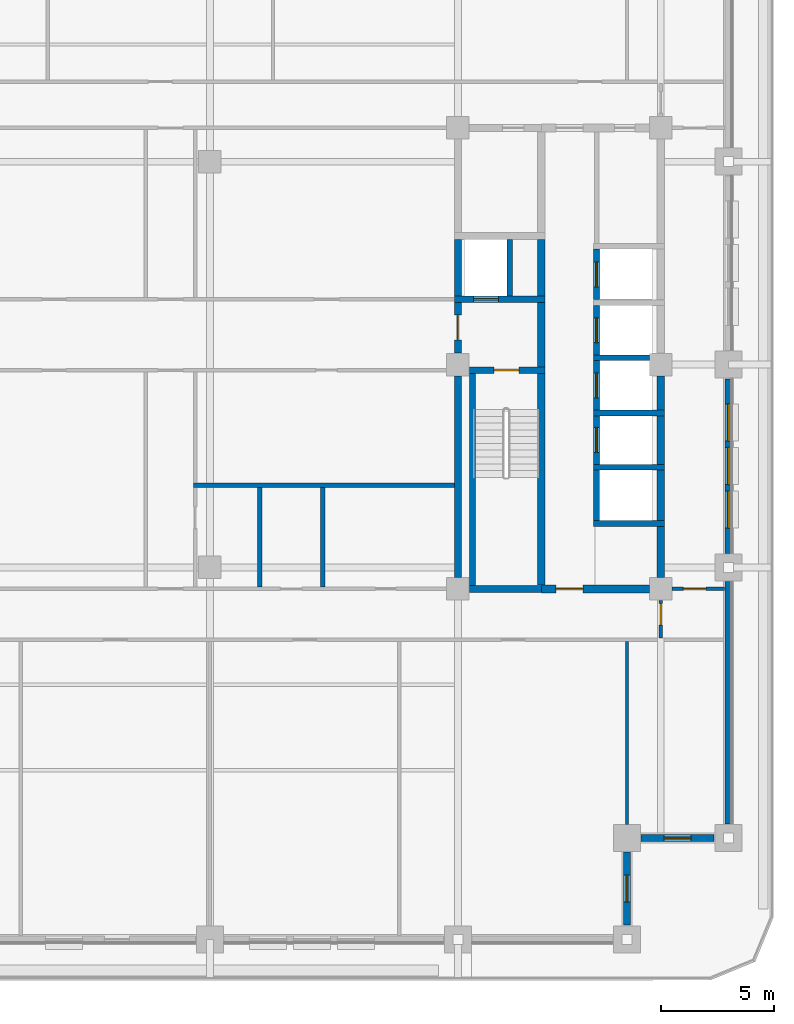
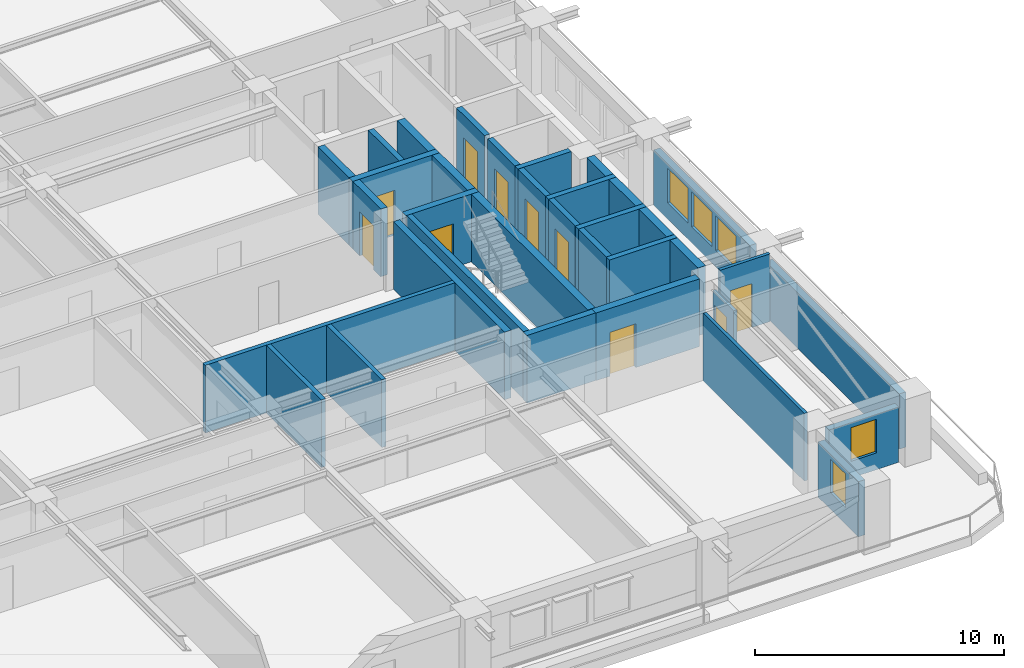
# One storey, part 4 of 14: 35 walls, 10 doors, 5 windows, 15 openings.
"""IFC4 building model written with IfcOpenShell, lengths in metres."""

from ifc_helpers import new_model, si_unit, direction, frame, frame_2d, origin, place, context, subcontext, project, spatial, rectangle, extrude, material, layer, layer_set, type_object, element, fill, save


model = new_model("IFC4")

# Units and contexts
model_context = context("Model", 3, precision=1e-05, world=origin(), true_north=direction((0.0, 1.0)))
body_context = subcontext(model_context, "Body", "Model", "MODEL_VIEW")
ifc_project = project(units=[si_unit("LENGTHUNIT", "METRE"), si_unit("AREAUNIT", "SQUARE_METRE"), si_unit("VOLUMEUNIT", "CUBIC_METRE"), si_unit("PLANEANGLEUNIT", "RADIAN"), si_unit("MASSUNIT", "GRAM", prefix="KILO")], contexts=[model_context])

# Site, building, storey
site_placement = place(None, origin())
site = spatial("IfcSite", under=ifc_project, at=site_placement, CompositionType="ELEMENT")
building_placement = place(site_placement, origin())
building = spatial("IfcBuilding", under=site, at=building_placement, Name="Zulmaris Gate Convention Tower", CompositionType="ELEMENT")
storey_placement = place(building_placement, frame((0.0, 0.0, 135.6298828125)))
storey = spatial("IfcBuildingStorey", under=building, at=storey_placement, Name="L34", CompositionType="ELEMENT", Elevation=135.6298828125)

# Walls
ifc_material_1 = material(Name="Concrete C50/60", Category="concrete")
ifc_layer_1 = layer(ifc_material_1, 0.25, Name="Concrete C50/60")
ifc_layer_set_1 = layer_set([ifc_layer_1], Name="Concrete C50/60")
wall_type_1 = type_object("IfcWallType", Name="CORE-250", PredefinedType="SOLIDWALL", material=ifc_layer_set_1)
for number, where, z_axis, x_axis, name in (
    (1, (17.02490234375, -7.050048828125, 0.0), (0.0, 0.0, 1.0), (1.0, 0.0, 0.0), "WL-L34-005"),
    (2, (17.02490234375, -4.550048828125, 0.0), (0.0, 0.0, 1.0), (1.0, 0.0, 0.0), "WL-L34-006"),
    (3, (17.02490234375, -2.14990234375, 0.0), (0.0, 0.0, 1.0), (1.0, 0.0, 0.0), "WL-L34-007"),
):
    element("IfcWall", number, at=place(storey_placement, frame(where, z_axis=z_axis, x_axis=x_axis)), inside=storey, type_object=wall_type_1, Name=name, PredefinedType="SOLIDWALL", context=body_context, shape_type="SweptSolid", body=[
        extrude(rectangle(XDim=3.150146484375, YDim=0.25, at=frame_2d((1.5751953125, 0.0))), origin(), (0.0, 0.0, 1.0), 3.320068359375),
    ])
wall_1_placement = place(storey_placement, frame((17.02490234375, 0.300048828125, 0.0), z_axis=(0.0, 0.0, 1.0), x_axis=(1.0, 0.0, 0.0)))
element("IfcWall", 4, at=wall_1_placement, inside=storey, type_object=wall_type_1, Name="WL-L34-010", PredefinedType="SOLIDWALL", context=body_context, shape_type="SweptSolid", body=[
    extrude(rectangle(XDim=2.47119140625, YDim=0.25, at=frame_2d((1.235595703125, 0.0))), origin(), (0.0, 0.0, 1.0), 3.320068359375),
])
wall_2_placement = place(storey_placement, frame((11.64990234375, -9.798095703125, 0.0), z_axis=(0.0, 0.0, 1.0), x_axis=(0.0, 1.0, 0.0)))
element("IfcWall", 5, at=wall_2_placement, inside=storey, type_object=wall_type_1, Name="WL-L34-050", PredefinedType="SOLIDWALL", context=body_context, shape_type="SweptSolid", body=[
    extrude(rectangle(XDim=9.39599609375, YDim=0.25, at=frame_2d((4.697998046875, 0.0))), origin(), (0.0, 0.0, 1.0), 3.320068359375),
])
wall_3_placement = place(storey_placement, frame((13.300048828125, 3.052001953125, 0.0), z_axis=(0.0, 0.0, 1.0), x_axis=(0.0, 1.0, 0.0)))
element("IfcWall", 6, at=wall_3_placement, inside=storey, type_object=wall_type_1, Name="WL-L34-051", PredefinedType="SOLIDWALL", context=body_context, shape_type="SweptSolid", body=[
    extrude(rectangle(XDim=2.49609375, YDim=0.25, at=frame_2d((1.248046875, 0.0))), origin(), (0.0, 0.0, 1.0), 3.320068359375),
])
wall_4_placement = place(storey_placement, frame((17.14990234375, -6.923095703125, 0.0), z_axis=(0.0, 0.0, 1.0), x_axis=(0.0, 1.0, 0.0)))
element("IfcWall", 7, at=wall_4_placement, inside=storey, type_object=wall_type_1, Name="WL-L34-056", PredefinedType="SOLIDWALL", context=body_context, shape_type="SweptSolid", body=[
    extrude(rectangle(XDim=2.24609375, YDim=0.25, at=frame_2d((1.123046875, 0.0))), origin(), (0.0, 0.0, 1.0), 3.320068359375),
])

# Wall, opening, door
wall_5_placement = place(storey_placement, frame((17.14990234375, -4.423095703125, 0.0), z_axis=(0.0, 0.0, 1.0), x_axis=(0.0, 1.0, 0.0)))
wall_5 = element("IfcWall", 8, at=wall_5_placement, inside=storey, type_object=wall_type_1, Name="WL-L34-057", PredefinedType="SOLIDWALL", context=body_context, shape_type="SweptSolid", body=[
    extrude(rectangle(XDim=2.14599609375, YDim=0.25, at=frame_2d((1.072998046875, 0.0))), origin(), (0.0, 0.0, 1.0), 3.320068359375),
])
opening_1_placement = place(wall_5_placement, frame((0.52294921875, 0.0, 0.0)))
opening_1 = element("IfcOpeningElement", 9, at=opening_1_placement, cuts=wall_5, Name="Opening D-06", PredefinedType="OPENING", context=body_context, shape_type="SweptSolid", body=[
    extrude(rectangle(XDim=1.10009765625, YDim=2.199951171875, at=frame_2d((0.550048828125, 1.10009765625))), frame((0.0, 0.135009765625, 0.0), z_axis=(0.0, -1.0, 0.0), x_axis=(1.0, 0.0, 0.0)), (0.0, 0.0, 1.0), 0.27001953125),
])
ifc_material_2 = material(Name="Brushed Stainless Steel", Category="steel")
door_type_1 = type_object("IfcDoorType", Name="LD-1100", OperationType="NOTDEFINED", PredefinedType="DOOR", material=ifc_material_2)
door_1_placement = place(opening_1_placement, origin())
door_1 = element("IfcDoor", 10, at=door_1_placement, inside=storey, type_object=door_type_1, Name="L34 Lift Landing Door MP-01 11", OperationType="SLIDING_TO_RIGHT", OverallHeight=2.199951171875, OverallWidth=1.10009765625, PredefinedType="DOOR", context=body_context, shape_type="SweptSolid", body=[
    extrude(rectangle(XDim=1.10009765625, YDim=2.199951171875, at=frame_2d((0.550048828125, 1.10009765625))), frame((0.0, 0.02490234375, 0.0), z_axis=(0.0, -1.0, 0.0), x_axis=(1.0, 0.0, 0.0)), (0.0, 0.0, 1.0), 0.050048828125),
])
fill(opening_1, door_1)

wall_6_placement = place(storey_placement, frame((17.14990234375, -2.02294921875, 0.0), z_axis=(0.0, 0.0, 1.0), x_axis=(0.0, 1.0, 0.0)))
wall_6 = element("IfcWall", 11, at=wall_6_placement, inside=storey, type_object=wall_type_1, Name="WL-L34-058", PredefinedType="SOLIDWALL", context=body_context, shape_type="SweptSolid", body=[
    extrude(rectangle(XDim=2.196044921875, YDim=0.25, at=frame_2d((1.09814453125, 0.0))), origin(), (0.0, 0.0, 1.0), 3.320068359375),
])
opening_2_placement = place(wall_6_placement, frame((0.548095703125, 0.0, 0.0)))
opening_2 = element("IfcOpeningElement", 12, at=opening_2_placement, cuts=wall_6, Name="Opening D-06", PredefinedType="OPENING", context=body_context, shape_type="SweptSolid", body=[
    extrude(rectangle(XDim=1.10009765625, YDim=2.199951171875, at=frame_2d((0.550048828125, 1.10009765625))), frame((0.0, 0.135009765625, 0.0), z_axis=(0.0, -1.0, 0.0), x_axis=(1.0, 0.0, 0.0)), (0.0, 0.0, 1.0), 0.27001953125),
])
door_2_placement = place(opening_2_placement, origin())
door_2 = element("IfcDoor", 13, at=door_2_placement, inside=storey, type_object=door_type_1, Name="L34 Lift Landing Door MP-02 12", OperationType="SLIDING_TO_RIGHT", OverallHeight=2.199951171875, OverallWidth=1.10009765625, PredefinedType="DOOR", context=body_context, shape_type="SweptSolid", body=[
    extrude(rectangle(XDim=1.10009765625, YDim=2.199951171875, at=frame_2d((0.550048828125, 1.10009765625))), frame((0.0, 0.02490234375, 0.0), z_axis=(0.0, -1.0, 0.0), x_axis=(1.0, 0.0, 0.0)), (0.0, 0.0, 1.0), 0.050048828125),
])
fill(opening_2, door_2)

wall_7_placement = place(storey_placement, frame((17.14990234375, 0.427001953125, 0.0), z_axis=(0.0, 0.0, 1.0), x_axis=(0.0, 1.0, 0.0)))
wall_7 = element("IfcWall", 14, at=wall_7_placement, inside=storey, type_object=wall_type_1, Name="WL-L34-059", PredefinedType="SOLIDWALL", context=body_context, shape_type="SweptSolid", body=[
    extrude(rectangle(XDim=2.196044921875, YDim=0.25, at=frame_2d((1.09814453125, 0.0))), origin(), (0.0, 0.0, 1.0), 3.320068359375),
])
opening_3_placement = place(wall_7_placement, frame((0.548095703125, 0.0, 0.0)))
opening_3 = element("IfcOpeningElement", 15, at=opening_3_placement, cuts=wall_7, Name="Opening D-06", PredefinedType="OPENING", context=body_context, shape_type="SweptSolid", body=[
    extrude(rectangle(XDim=1.10009765625, YDim=2.199951171875, at=frame_2d((0.550048828125, 1.10009765625))), frame((0.0, 0.135009765625, 0.0), z_axis=(0.0, -1.0, 0.0), x_axis=(1.0, 0.0, 0.0)), (0.0, 0.0, 1.0), 0.27001953125),
])
door_3_placement = place(opening_3_placement, origin())
door_3 = element("IfcDoor", 16, at=door_3_placement, inside=storey, type_object=door_type_1, Name="L34 Lift Landing Door MP-03 13", OperationType="SLIDING_TO_RIGHT", OverallHeight=2.199951171875, OverallWidth=1.10009765625, PredefinedType="DOOR", context=body_context, shape_type="SweptSolid", body=[
    extrude(rectangle(XDim=1.10009765625, YDim=2.199951171875, at=frame_2d((0.550048828125, 1.10009765625))), frame((0.0, 0.02490234375, 0.0), z_axis=(0.0, -1.0, 0.0), x_axis=(1.0, 0.0, 0.0)), (0.0, 0.0, 1.0), 0.050048828125),
])
fill(opening_3, door_3)

wall_8_placement = place(storey_placement, frame((17.14990234375, 2.876953125, 0.0), z_axis=(0.0, 0.0, 1.0), x_axis=(0.0, 1.0, 0.0)))
wall_8 = element("IfcWall", 17, at=wall_8_placement, inside=storey, type_object=wall_type_1, Name="WL-L34-060", PredefinedType="SOLIDWALL", context=body_context, shape_type="SweptSolid", body=[
    extrude(rectangle(XDim=2.24609375, YDim=0.25, at=frame_2d((1.123046875, 0.0))), origin(), (0.0, 0.0, 1.0), 3.320068359375),
])
opening_4_placement = place(wall_8_placement, frame((0.572998046875, 0.0, 0.0)))
opening_4 = element("IfcOpeningElement", 18, at=opening_4_placement, cuts=wall_8, Name="Opening D-06", PredefinedType="OPENING", context=body_context, shape_type="SweptSolid", body=[
    extrude(rectangle(XDim=1.10009765625, YDim=2.199951171875, at=frame_2d((0.550048828125, 1.10009765625))), frame((0.0, 0.135009765625, 0.0), z_axis=(0.0, -1.0, 0.0), x_axis=(1.0, 0.0, 0.0)), (0.0, 0.0, 1.0), 0.27001953125),
])
door_4_placement = place(opening_4_placement, origin())
door_4 = element("IfcDoor", 19, at=door_4_placement, inside=storey, type_object=door_type_1, Name="L34 Lift Landing Door MP-04 14", OperationType="SLIDING_TO_RIGHT", OverallHeight=2.199951171875, OverallWidth=1.10009765625, PredefinedType="DOOR", context=body_context, shape_type="SweptSolid", body=[
    extrude(rectangle(XDim=1.10009765625, YDim=2.199951171875, at=frame_2d((0.550048828125, 1.10009765625))), frame((0.0, 0.02490234375, 0.0), z_axis=(0.0, -1.0, 0.0), x_axis=(1.0, 0.0, 0.0)), (0.0, 0.0, 1.0), 0.050048828125),
])
fill(opening_4, door_4)

# Wall
ifc_layer_2 = layer(ifc_material_1, 0.300048828125, Name="Concrete C50/60")
ifc_layer_set_2 = layer_set([ifc_layer_2], Name="Concrete C50/60")
wall_type_2 = type_object("IfcWallType", Name="CORE-300", PredefinedType="SHEAR", material=ifc_layer_set_2)
wall_9_placement = place(storey_placement, frame((11.50390625, -9.949951171875, 0.0), z_axis=(0.0, 0.0, 1.0), x_axis=(1.0, 0.0, 0.0)))
element("IfcWall", 20, at=wall_9_placement, inside=storey, type_object=wall_type_2, Name="WL-L34-003", PredefinedType="SHEAR", context=body_context, shape_type="SweptSolid", body=[
    extrude(rectangle(XDim=3.196044921875, YDim=0.300048828125, at=frame_2d((1.59814453125, 0.0))), origin(), (0.0, 0.0, 1.0), 3.320068359375),
])

# Wall, opening, door
wall_10_placement = place(storey_placement, frame((11.50390625, -0.25, 0.0), z_axis=(0.0, 0.0, 1.0), x_axis=(1.0, 0.0, 0.0)))
wall_10 = element("IfcWall", 21, at=wall_10_placement, inside=storey, type_object=wall_type_2, Name="WL-L34-009", PredefinedType="SHEAR", context=body_context, shape_type="SweptSolid", body=[
    extrude(rectangle(XDim=3.37109375, YDim=0.300048828125, at=frame_2d((1.685546875, 0.0))), origin(), (0.0, 0.0, 1.0), 3.320068359375),
])
opening_5_placement = place(wall_10_placement, frame((1.095947265625, 0.0, 0.0)))
opening_5 = element("IfcOpeningElement", 22, at=opening_5_placement, cuts=wall_10, Name="Opening D-08", PredefinedType="OPENING", context=body_context, shape_type="SweptSolid", body=[
    extrude(rectangle(XDim=1.10009765625, YDim=2.14990234375, at=frame_2d((0.550048828125, 1.074951171875))), frame((0.0, 0.16015625, 0.0), z_axis=(0.0, -1.0, 0.0), x_axis=(1.0, 0.0, 0.0)), (0.0, 0.0, 1.0), 0.320068359375),
])
ifc_material_3 = material(Name="Fire-Rated Steel", Category="steel")
door_type_2 = type_object("IfcDoorType", Name="DR-1100-FD", OperationType="NOTDEFINED", PredefinedType="DOOR", material=ifc_material_3)
door_5_placement = place(opening_5_placement, origin())
door_5 = element("IfcDoor", 23, at=door_5_placement, inside=storey, type_object=door_type_2, Name="L34 Exit Stair ST-2 Door 04", OperationType="SINGLE_SWING_RIGHT", OverallHeight=2.14990234375, OverallWidth=1.10009765625, PredefinedType="DOOR", context=body_context, shape_type="SweptSolid", body=[
    extrude(rectangle(XDim=1.10009765625, YDim=2.14990234375, at=frame_2d((0.550048828125, 1.074951171875))), frame((0.0, 0.02490234375, 0.0), z_axis=(0.0, -1.0, 0.0), x_axis=(1.0, 0.0, 0.0)), (0.0, 0.0, 1.0), 0.050048828125),
])
fill(opening_5, door_5)

wall_11_placement = place(storey_placement, frame((10.85009765625, 2.89990234375, 0.0), z_axis=(0.0, 0.0, 1.0), x_axis=(1.0, 0.0, 0.0)))
wall_11 = element("IfcWall", 24, at=wall_11_placement, inside=storey, type_object=wall_type_2, Name="WL-L34-013", PredefinedType="SHEAR", context=body_context, shape_type="SweptSolid", body=[
    extrude(rectangle(XDim=4.02490234375, YDim=0.300048828125, at=frame_2d((2.012451171875, 0.0))), origin(), (0.0, 0.0, 1.0), 3.320068359375),
])
opening_6_placement = place(wall_11_placement, frame((0.85009765625, 0.0, 0.0)))
opening_6 = element("IfcOpeningElement", 25, at=opening_6_placement, cuts=wall_11, Name="Opening D-06", PredefinedType="OPENING", context=body_context, shape_type="SweptSolid", body=[
    extrude(rectangle(XDim=1.10009765625, YDim=2.199951171875, at=frame_2d((0.550048828125, 1.10009765625))), frame((0.0, 0.16015625, 0.0), z_axis=(0.0, -1.0, 0.0), x_axis=(1.0, 0.0, 0.0)), (0.0, 0.0, 1.0), 0.320068359375),
])
door_6_placement = place(opening_6_placement, origin())
door_6 = element("IfcDoor", 26, at=door_6_placement, inside=storey, type_object=door_type_1, Name="L34 Lift Landing Door LF-02 06", OperationType="SLIDING_TO_RIGHT", OverallHeight=2.199951171875, OverallWidth=1.10009765625, PredefinedType="DOOR", context=body_context, shape_type="SweptSolid", body=[
    extrude(rectangle(XDim=1.10009765625, YDim=2.199951171875, at=frame_2d((0.550048828125, 1.10009765625))), frame((0.0, 0.02490234375, 0.0), z_axis=(0.0, -1.0, 0.0), x_axis=(1.0, 0.0, 0.0)), (0.0, 0.0, 1.0), 0.050048828125),
])
fill(opening_6, door_6)

# Wall
wall_12_placement = place(storey_placement, frame((11.0, -9.446044921875, 0.0), z_axis=(0.0, 0.0, 1.0), x_axis=(0.0, 1.0, 0.0)))
element("IfcWall", 27, at=wall_12_placement, inside=storey, type_object=wall_type_2, Name="WL-L34-046", PredefinedType="SHEAR", context=body_context, shape_type="SweptSolid", body=[
    extrude(rectangle(XDim=8.942138671875, YDim=0.300048828125, at=frame_2d((4.47119140625, 0.0))), origin(), (0.0, 0.0, 1.0), 3.320068359375),
])

# Wall, opening, door
wall_13_placement = place(storey_placement, frame((11.0, 0.50390625, 0.0), z_axis=(0.0, 0.0, 1.0), x_axis=(0.0, 1.0, 0.0)))
wall_13 = element("IfcWall", 28, at=wall_13_placement, inside=storey, type_object=wall_type_2, Name="WL-L34-047", PredefinedType="SHEAR", context=body_context, shape_type="SweptSolid", body=[
    extrude(rectangle(XDim=2.244140625, YDim=0.300048828125, at=frame_2d((1.1220703125, 0.0))), origin(), (0.0, 0.0, 1.0), 3.320068359375),
])
opening_7_placement = place(wall_13_placement, frame((0.595947265625, 0.0, 0.0)))
opening_7 = element("IfcOpeningElement", 29, at=opening_7_placement, cuts=wall_13, Name="Opening D-08", PredefinedType="OPENING", context=body_context, shape_type="SweptSolid", body=[
    extrude(rectangle(XDim=1.10009765625, YDim=2.14990234375, at=frame_2d((0.550048828125, 1.074951171875))), frame((0.0, 0.16015625, 0.0), z_axis=(0.0, -1.0, 0.0), x_axis=(1.0, 0.0, 0.0)), (0.0, 0.0, 1.0), 0.320068359375),
])
door_7_placement = place(opening_7_placement, origin())
door_7 = element("IfcDoor", 30, at=door_7_placement, inside=storey, type_object=door_type_2, Name="L34 East Firefighting Lobby Door 05", OperationType="SINGLE_SWING_LEFT", OverallHeight=2.14990234375, OverallWidth=1.10009765625, PredefinedType="DOOR", context=body_context, shape_type="SweptSolid", body=[
    extrude(rectangle(XDim=1.10009765625, YDim=2.14990234375, at=frame_2d((0.550048828125, 1.074951171875))), frame((0.0, 0.02490234375, 0.0), z_axis=(0.0, -1.0, 0.0), x_axis=(1.0, 0.0, 0.0)), (0.0, 0.0, 1.0), 0.050048828125),
])
fill(opening_7, door_7)

# Wall
wall_14_placement = place(storey_placement, frame((11.0, 3.052001953125, 0.0), z_axis=(0.0, 0.0, 1.0), x_axis=(0.0, 1.0, 0.0)))
element("IfcWall", 31, at=wall_14_placement, inside=storey, type_object=wall_type_2, Name="WL-L34-048", PredefinedType="SHEAR", context=body_context, shape_type="SweptSolid", body=[
    extrude(rectangle(XDim=2.49609375, YDim=0.300048828125, at=frame_2d((1.248046875, 0.0))), origin(), (0.0, 0.0, 1.0), 3.320068359375),
])

# Wall, opening, door
ifc_material_4 = material(Name="Concrete C55/67", Category="concrete")
ifc_layer_3 = layer(ifc_material_4, 0.35009765625, Name="Concrete C55/67")
ifc_layer_set_3 = layer_set([ifc_layer_3], Name="Concrete C55/67")
wall_type_3 = type_object("IfcWallType", Name="CORE-350", PredefinedType="SHEAR", material=ifc_layer_set_3)
wall_15_placement = place(storey_placement, frame((14.699951171875, -9.949951171875, 0.0), z_axis=(0.0, 0.0, 1.0), x_axis=(1.0, 0.0, 0.0)))
wall_15 = element("IfcWall", 32, at=wall_15_placement, inside=storey, type_object=wall_type_3, Name="WL-L34-004", PredefinedType="SHEAR", context=body_context, shape_type="SweptSolid", body=[
    extrude(rectangle(XDim=4.796142578125, YDim=0.35009765625, at=frame_2d((2.39794921875, 0.0))), origin(), (0.0, 0.0, 1.0), 3.320068359375),
])
opening_8_placement = place(wall_15_placement, frame((0.64990234375, 0.0, 0.0)))
opening_8 = element("IfcOpeningElement", 33, at=opening_8_placement, cuts=wall_15, Name="Opening D-13", PredefinedType="OPENING", context=body_context, shape_type="SweptSolid", body=[
    extrude(rectangle(XDim=1.199951171875, YDim=2.14990234375, at=frame_2d((0.60009765625, 1.074951171875))), frame((0.0, 0.18505859375, 0.0), z_axis=(0.0, -1.0, 0.0), x_axis=(1.0, 0.0, 0.0)), (0.0, 0.0, 1.0), 0.3701171875),
])
door_type_3 = type_object("IfcDoorType", Name="DR-1200-FD", OperationType="NOTDEFINED", PredefinedType="DOOR", material=ifc_material_3)
door_8_placement = place(opening_8_placement, origin())
door_8 = element("IfcDoor", 34, at=door_8_placement, inside=storey, type_object=door_type_3, Name="L34 East Lift Lobby South Door 15", OperationType="SINGLE_SWING_RIGHT", OverallHeight=2.14990234375, OverallWidth=1.199951171875, PredefinedType="DOOR", context=body_context, shape_type="SweptSolid", body=[
    extrude(rectangle(XDim=1.199951171875, YDim=2.14990234375, at=frame_2d((0.60009765625, 1.074951171875))), frame((0.0, 0.02490234375, 0.0), z_axis=(0.0, -1.0, 0.0), x_axis=(1.0, 0.0, 0.0)), (0.0, 0.0, 1.0), 0.050048828125),
])
fill(opening_8, door_8)

# Walls
wall_16_placement = place(storey_placement, frame((14.699951171875, -9.77294921875, 0.0), z_axis=(0.0, 0.0, 1.0), x_axis=(0.0, 1.0, 0.0)))
element("IfcWall", 35, at=wall_16_placement, inside=storey, type_object=wall_type_3, Name="WL-L34-052", PredefinedType="SHEAR", context=body_context, shape_type="SweptSolid", body=[
    extrude(rectangle(XDim=9.370849609375, YDim=0.35009765625, at=frame_2d((4.685546875, 0.0))), origin(), (0.0, 0.0, 1.0), 3.320068359375),
])
wall_17_placement = place(storey_placement, frame((14.699951171875, -0.097900390625, 0.0), z_axis=(0.0, 0.0, 1.0), x_axis=(0.0, 1.0, 0.0)))
element("IfcWall", 36, at=wall_17_placement, inside=storey, type_object=wall_type_3, Name="WL-L34-053", PredefinedType="SHEAR", context=body_context, shape_type="SweptSolid", body=[
    extrude(rectangle(XDim=2.845947265625, YDim=0.35009765625, at=frame_2d((1.4228515625, 0.0))), origin(), (0.0, 0.0, 1.0), 3.320068359375),
])
wall_18_placement = place(storey_placement, frame((14.699951171875, 3.052001953125, 0.0), z_axis=(0.0, 0.0, 1.0), x_axis=(0.0, 1.0, 0.0)))
element("IfcWall", 37, at=wall_18_placement, inside=storey, type_object=wall_type_3, Name="WL-L34-054", PredefinedType="SHEAR", context=body_context, shape_type="SweptSolid", body=[
    extrude(rectangle(XDim=2.49609375, YDim=0.35009765625, at=frame_2d((1.248046875, 0.0))), origin(), (0.0, 0.0, 1.0), 3.320068359375),
])
wall_19_placement = place(storey_placement, frame((20.0, -9.446044921875, 0.0), z_axis=(0.0, 0.0, 1.0), x_axis=(0.0, 1.0, 0.0)))
element("IfcWall", 38, at=wall_19_placement, inside=storey, type_object=wall_type_3, Name="WL-L34-061", PredefinedType="SHEAR", context=body_context, shape_type="SweptSolid", body=[
    extrude(rectangle(XDim=2.26904296875, YDim=0.35009765625, at=frame_2d((1.134521484375, 0.0))), origin(), (0.0, 0.0, 1.0), 3.320068359375),
])
wall_20_placement = place(storey_placement, frame((20.0, -6.923095703125, 0.0), z_axis=(0.0, 0.0, 1.0), x_axis=(0.0, 1.0, 0.0)))
element("IfcWall", 39, at=wall_20_placement, inside=storey, type_object=wall_type_3, Name="WL-L34-062", PredefinedType="SHEAR", context=body_context, shape_type="SweptSolid", body=[
    extrude(rectangle(XDim=2.24609375, YDim=0.35009765625, at=frame_2d((1.123046875, 0.0))), origin(), (0.0, 0.0, 1.0), 3.320068359375),
])
wall_21_placement = place(storey_placement, frame((20.0, -4.423095703125, 0.0), z_axis=(0.0, 0.0, 1.0), x_axis=(0.0, 1.0, 0.0)))
element("IfcWall", 40, at=wall_21_placement, inside=storey, type_object=wall_type_3, Name="WL-L34-063", PredefinedType="SHEAR", context=body_context, shape_type="SweptSolid", body=[
    extrude(rectangle(XDim=2.14599609375, YDim=0.35009765625, at=frame_2d((1.072998046875, 0.0))), origin(), (0.0, 0.0, 1.0), 3.320068359375),
])
wall_22_placement = place(storey_placement, frame((20.0, -2.02294921875, 0.0), z_axis=(0.0, 0.0, 1.0), x_axis=(0.0, 1.0, 0.0)))
element("IfcWall", 41, at=wall_22_placement, inside=storey, type_object=wall_type_3, Name="WL-L34-064", PredefinedType="SHEAR", context=body_context, shape_type="SweptSolid", body=[
    extrude(rectangle(XDim=1.51904296875, YDim=0.35009765625, at=frame_2d((0.759521484375, 0.0))), origin(), (0.0, 0.0, 1.0), 3.320068359375),
])

# Wall, opening, door
ifc_material_5 = material(Name="Gypsum Metal Stud Partition")
ifc_layer_4 = layer(ifc_material_5, 0.14990234375, Name="Gypsum Metal Stud Partition")
ifc_layer_set_4 = layer_set([ifc_layer_4], Name="Gypsum Metal Stud Partition")
wall_type_4 = type_object("IfcWallType", Name="PART-150", PredefinedType="PARTITIONING", material=ifc_layer_set_4)
wall_23_placement = place(storey_placement, frame((20.506103515625, -9.949951171875, 0.0), z_axis=(0.0, 0.0, 1.0), x_axis=(1.0, 0.0, 0.0)))
wall_23 = element("IfcWall", 42, at=wall_23_placement, inside=storey, type_object=wall_type_4, Name="WL-L34-024", PredefinedType="PARTITIONING", context=body_context, shape_type="SweptSolid", body=[
    extrude(rectangle(XDim=2.328857421875, YDim=0.14990234375, at=frame_2d((1.16455078125, 0.0))), origin(), (0.0, 0.0, 1.0), 3.320068359375),
])
opening_9_placement = place(wall_23_placement, frame((0.493896484375, 0.0, 0.0)))
opening_9 = element("IfcOpeningElement", 43, at=opening_9_placement, cuts=wall_23, Name="Opening D-10", PredefinedType="OPENING", context=body_context, shape_type="SweptSolid", body=[
    extrude(rectangle(XDim=1.0, YDim=2.14990234375, at=frame_2d((0.5, 1.074951171875))), frame((0.0, 0.0849609375, 0.0), z_axis=(0.0, -1.0, 0.0), x_axis=(1.0, 0.0, 0.0)), (0.0, 0.0, 1.0), 0.169921875),
])
ifc_material_6 = material(Name="Fire-Rated Timber", Category="wood")
door_type_4 = type_object("IfcDoorType", Name="DR-1000-FD", OperationType="NOTDEFINED", PredefinedType="DOOR", material=ifc_material_6)
door_9_placement = place(opening_9_placement, origin())
door_9 = element("IfcDoor", 44, at=door_9_placement, inside=storey, type_object=door_type_4, Name="L34 East Workplace South Door 43", OperationType="SINGLE_SWING_RIGHT", OverallHeight=2.14990234375, OverallWidth=1.0, PredefinedType="DOOR", context=body_context, shape_type="SweptSolid", body=[
    extrude(rectangle(XDim=1.0, YDim=2.14990234375, at=frame_2d((0.5, 1.074951171875))), frame((0.0, 0.02490234375, 0.0), z_axis=(0.0, -1.0, 0.0), x_axis=(1.0, 0.0, 0.0)), (0.0, 0.0, 1.0), 0.050048828125),
])
fill(opening_9, door_9)

# Wall
wall_24_placement = place(storey_placement, frame((18.5, -20.39404296875, 0.0), z_axis=(0.0, 0.0, 1.0), x_axis=(0.0, 1.0, 0.0)))
element("IfcWall", 45, at=wall_24_placement, inside=storey, type_object=wall_type_4, Name="WL-L34-085", PredefinedType="PARTITIONING", context=body_context, shape_type="SweptSolid", body=[
    extrude(rectangle(XDim=8.115966796875, YDim=0.14990234375, at=frame_2d((4.05810546875, 0.0))), origin(), (0.0, 0.0, 1.0), 3.320068359375),
])

# Wall, opening, door
wall_25_placement = place(storey_placement, frame((20.0, -12.1220703125, 0.0), z_axis=(0.0, 0.0, 1.0), x_axis=(0.0, 1.0, 0.0)))
wall_25 = element("IfcWall", 46, at=wall_25_placement, inside=storey, type_object=wall_type_4, Name="WL-L34-087", PredefinedType="PARTITIONING", context=body_context, shape_type="SweptSolid", body=[
    extrude(rectangle(XDim=1.666015625, YDim=0.14990234375, at=frame_2d((0.8330078125, 0.0))), origin(), (0.0, 0.0, 1.0), 2.81005859375),
])
opening_10_placement = place(wall_25_placement, frame((0.56591796875, 0.0, 0.0)))
opening_10 = element("IfcOpeningElement", 47, at=opening_10_placement, cuts=wall_25, Name="Opening D-11", PredefinedType="OPENING", context=body_context, shape_type="SweptSolid", body=[
    extrude(rectangle(XDim=0.949951171875, YDim=2.14990234375, at=frame_2d((0.47509765625, 1.074951171875))), frame((0.0, 0.0849609375, 0.0), z_axis=(0.0, -1.0, 0.0), x_axis=(1.0, 0.0, 0.0)), (0.0, 0.0, 1.0), 0.169921875),
])
door_type_5 = type_object("IfcDoorType", Name="DR-950-FD", OperationType="NOTDEFINED", PredefinedType="DOOR", material=ifc_material_6)
door_10_placement = place(opening_10_placement, origin())
door_10 = element("IfcDoor", 48, at=door_10_placement, inside=storey, type_object=door_type_5, Name="L34 SE Spur Door 41", OperationType="SINGLE_SWING_RIGHT", OverallHeight=2.14990234375, OverallWidth=0.949951171875, PredefinedType="DOOR", context=body_context, shape_type="SweptSolid", body=[
    extrude(rectangle(XDim=0.949951171875, YDim=2.14990234375, at=frame_2d((0.47509765625, 1.074951171875))), frame((0.0, 0.02490234375, 0.0), z_axis=(0.0, -1.0, 0.0), x_axis=(1.0, 0.0, 0.0)), (0.0, 0.0, 1.0), 0.050048828125),
])
fill(opening_10, door_10)

# Walls
ifc_material_7 = material(Name="Autoclaved Aerated Concrete Block and Plasterboard", Category="concrete")
ifc_layer_5 = layer(ifc_material_7, 0.199951171875, Name="Autoclaved Aerated Concrete Block and Plasterboard")
ifc_layer_set_5 = layer_set([ifc_layer_5], Name="Autoclaved Aerated Concrete Block and Plasterboard")
wall_type_5 = type_object("IfcWallType", Name="PART-200", PredefinedType="PARTITIONING", material=ifc_layer_set_5)
wall_26_placement = place(storey_placement, frame((-0.72509765625, -5.35009765625, 0.0), z_axis=(0.0, 0.0, 1.0), x_axis=(1.0, 0.0, 0.0)))
element("IfcWall", 49, at=wall_26_placement, inside=storey, type_object=wall_type_5, Name="WL-L34-025", PredefinedType="PARTITIONING", context=body_context, shape_type="SweptSolid", body=[
    extrude(rectangle(XDim=11.572021484375, YDim=0.199951171875, at=frame_2d((5.7861328125, 0.0))), origin(), (0.0, 0.0, 1.0), 3.320068359375),
])
for number, where, z_axis, x_axis, name in (
    (50, (2.199951171875, -9.8720703125, 0.0), (0.0, 0.0, 1.0), (0.0, 1.0, 0.0), "WL-L34-080"),
    (51, (5.0, -9.8720703125, 0.0), (0.0, 0.0, 1.0), (0.0, 1.0, 0.0), "WL-L34-082"),
):
    element("IfcWall", number, at=place(storey_placement, frame(where, z_axis=z_axis, x_axis=x_axis)), inside=storey, type_object=wall_type_5, Name=name, PredefinedType="PARTITIONING", context=body_context, shape_type="SweptSolid", body=[
        extrude(rectangle(XDim=4.419189453125, YDim=0.199951171875, at=frame_2d((2.20947265625, 0.0))), origin(), (0.0, 0.0, 1.0), 3.320068359375),
    ])

# Wall, opening, window
ifc_material_8 = material(Name="Precast concrete C40/50", Category="concrete")
ifc_layer_6 = layer(ifc_material_8, 0.300048828125, Name="Precast concrete C40/50")
ifc_layer_set_6 = layer_set([ifc_layer_6], Name="Precast concrete C40/50")
wall_type_6 = type_object("IfcWallType", Name="PRECAST-PIER-300", PredefinedType="STANDARD", material=ifc_layer_set_6)
wall_27_placement = place(storey_placement, frame((18.5, -24.8701171875, 0.0), z_axis=(0.0, 0.0, 1.0), x_axis=(0.0, 1.0, 0.0)))
wall_27 = element("IfcWall", 52, at=wall_27_placement, inside=storey, type_object=wall_type_6, Name="EW-L34-NOTCH-SE1_0", PredefinedType="STANDARD", context=body_context, shape_type="SweptSolid", body=[
    extrude(rectangle(XDim=3.240234375, YDim=0.300048828125, at=frame_2d((1.6201171875, 0.0))), origin(), (0.0, 0.0, 1.0), 2.712158203125),
])
opening_11_placement = place(wall_27_placement, frame((1.02001953125, 0.0, 0.820068359375)))
opening_11 = element("IfcOpeningElement", 53, at=opening_11_placement, cuts=wall_27, Name="Opening W-04", PredefinedType="OPENING", context=body_context, shape_type="SweptSolid", body=[
    extrude(rectangle(XDim=1.199951171875, YDim=1.64990234375, at=frame_2d((0.60009765625, 0.824951171875))), frame((0.0, 0.16015625, 0.0), z_axis=(0.0, -1.0, 0.0), x_axis=(1.0, 0.0, 0.0)), (0.0, 0.0, 1.0), 0.320068359375),
])
ifc_material_9 = material(Name="Low-E Laminated Double Glazing in Aluminium Frame", Category="aluminium")
window_type_1 = type_object("IfcWindowType", Name="WIN-1200x2100", PartitioningType="SINGLE_PANEL", PredefinedType="WINDOW", material=ifc_material_9)
window_1_placement = place(opening_11_placement, origin())
window_1 = element("IfcWindow", 54, at=window_1_placement, inside=storey, type_object=window_type_1, Name="WN-EW-L34-NOTCH-SE1_0", OverallHeight=1.64990234375, OverallWidth=1.199951171875, PartitioningType="SINGLE_PANEL", PredefinedType="WINDOW", context=body_context, shape_type="SweptSolid", body=[
    extrude(rectangle(XDim=1.199951171875, YDim=1.64990234375, at=frame_2d((0.60009765625, 0.824951171875))), frame((0.0, 0.030029296875, 0.0), z_axis=(0.0, -1.0, 0.0), x_axis=(1.0, 0.0, 0.0)), (0.0, 0.0, 1.0), 0.06005859375),
])
fill(opening_11, window_1)

wall_28_placement = place(storey_placement, frame((19.1298828125, -21.0, 0.0), z_axis=(0.0, 0.0, 1.0), x_axis=(1.0, 0.0, 0.0)))
wall_28 = element("IfcWall", 55, at=wall_28_placement, inside=storey, type_object=wall_type_6, Name="EW-L34-NOTCH-SE2_0", PredefinedType="STANDARD", context=body_context, shape_type="SweptSolid", body=[
    extrude(rectangle(XDim=3.240234375, YDim=0.300048828125, at=frame_2d((1.6201171875, 0.0))), origin(), (0.0, 0.0, 1.0), 2.712158203125),
])
opening_12_placement = place(wall_28_placement, frame((1.02001953125, 0.0, 0.820068359375)))
opening_12 = element("IfcOpeningElement", 56, at=opening_12_placement, cuts=wall_28, Name="Opening W-04", PredefinedType="OPENING", context=body_context, shape_type="SweptSolid", body=[
    extrude(rectangle(XDim=1.199951171875, YDim=1.64990234375, at=frame_2d((0.60009765625, 0.824951171875))), frame((0.0, 0.16015625, 0.0), z_axis=(0.0, -1.0, 0.0), x_axis=(1.0, 0.0, 0.0)), (0.0, 0.0, 1.0), 0.320068359375),
])
window_2_placement = place(opening_12_placement, origin())
window_2 = element("IfcWindow", 57, at=window_2_placement, inside=storey, type_object=window_type_1, Name="WN-EW-L34-NOTCH-SE2_0", OverallHeight=1.64990234375, OverallWidth=1.199951171875, PartitioningType="SINGLE_PANEL", PredefinedType="WINDOW", context=body_context, shape_type="SweptSolid", body=[
    extrude(rectangle(XDim=1.199951171875, YDim=1.64990234375, at=frame_2d((0.60009765625, 0.824951171875))), frame((0.0, 0.030029296875, 0.0), z_axis=(0.0, -1.0, 0.0), x_axis=(1.0, 0.0, 0.0)), (0.0, 0.0, 1.0), 0.06005859375),
])
fill(opening_12, window_2)

# Wall
wall_29_placement = place(storey_placement, frame((23.0, -20.3701171875, 0.0), z_axis=(0.0, 0.0, 1.0), x_axis=(0.0, 1.0, 0.0)))
element("IfcWall", 58, at=wall_29_placement, inside=storey, type_object=wall_type_6, Name="EW-L34-E-0_0", PredefinedType="STANDARD", context=body_context, shape_type="SweptSolid", body=[
    extrude(rectangle(XDim=10.740234375, YDim=0.300048828125, at=frame_2d((5.3701171875, 0.0))), origin(), (0.0, 0.0, 1.0), 2.712158203125),
])

# Wall, openings, windows
wall_30_placement = place(storey_placement, frame((23.0, -8.3701171875, 0.0), z_axis=(0.0, 0.0, 1.0), x_axis=(0.0, 1.0, 0.0)))
wall_30 = element("IfcWall", 59, at=wall_30_placement, inside=storey, type_object=wall_type_6, Name="EW-L34-E-1_0", PredefinedType="STANDARD", context=body_context, shape_type="SweptSolid", body=[
    extrude(rectangle(XDim=7.740234375, YDim=0.300048828125, at=frame_2d((3.8701171875, 0.0))), origin(), (0.0, 0.0, 1.0), 2.712158203125),
])
opening_13_placement = place(wall_30_placement, frame((1.110107421875, 0.0, 0.800048828125)))
opening_13 = element("IfcOpeningElement", 60, at=opening_13_placement, cuts=wall_30, Name="Opening W-08", PredefinedType="OPENING", context=body_context, shape_type="SweptSolid", body=[
    extrude(rectangle(XDim=1.64990234375, YDim=1.699951171875, at=frame_2d((0.824951171875, 0.85009765625))), frame((0.0, 0.16015625, 0.0), z_axis=(0.0, -1.0, 0.0), x_axis=(1.0, 0.0, 0.0)), (0.0, 0.0, 1.0), 0.320068359375),
])
opening_14_placement = place(wall_30_placement, frame((3.044921875, 0.0, 0.800048828125)))
opening_14 = element("IfcOpeningElement", 61, at=opening_14_placement, cuts=wall_30, Name="Opening W-08", PredefinedType="OPENING", context=body_context, shape_type="SweptSolid", body=[
    extrude(rectangle(XDim=1.64990234375, YDim=1.699951171875, at=frame_2d((0.824951171875, 0.85009765625))), frame((0.0, 0.16015625, 0.0), z_axis=(0.0, -1.0, 0.0), x_axis=(1.0, 0.0, 0.0)), (0.0, 0.0, 1.0), 0.320068359375),
])
opening_15_placement = place(wall_30_placement, frame((4.97998046875, 0.0, 0.800048828125)))
opening_15 = element("IfcOpeningElement", 62, at=opening_15_placement, cuts=wall_30, Name="Opening W-08", PredefinedType="OPENING", context=body_context, shape_type="SweptSolid", body=[
    extrude(rectangle(XDim=1.64990234375, YDim=1.699951171875, at=frame_2d((0.824951171875, 0.85009765625))), frame((0.0, 0.16015625, 0.0), z_axis=(0.0, -1.0, 0.0), x_axis=(1.0, 0.0, 0.0)), (0.0, 0.0, 1.0), 0.320068359375),
])
window_type_2 = type_object("IfcWindowType", Name="WIN-1650x2150", PartitioningType="SINGLE_PANEL", PredefinedType="WINDOW", material=ifc_material_9)
window_3_placement = place(opening_13_placement, origin())
window_3 = element("IfcWindow", 63, at=window_3_placement, inside=storey, type_object=window_type_2, Name="WN-EW-L34-E-1_0-1", OverallHeight=1.699951171875, OverallWidth=1.64990234375, PartitioningType="SINGLE_PANEL", PredefinedType="WINDOW", context=body_context, shape_type="SweptSolid", body=[
    extrude(rectangle(XDim=1.64990234375, YDim=1.699951171875, at=frame_2d((0.824951171875, 0.85009765625))), frame((0.0, 0.030029296875, 0.0), z_axis=(0.0, -1.0, 0.0), x_axis=(1.0, 0.0, 0.0)), (0.0, 0.0, 1.0), 0.06005859375),
])
fill(opening_13, window_3)
window_4_placement = place(opening_14_placement, origin())
window_4 = element("IfcWindow", 64, at=window_4_placement, inside=storey, type_object=window_type_2, Name="WN-EW-L34-E-1_0-2", OverallHeight=1.699951171875, OverallWidth=1.64990234375, PartitioningType="SINGLE_PANEL", PredefinedType="WINDOW", context=body_context, shape_type="SweptSolid", body=[
    extrude(rectangle(XDim=1.64990234375, YDim=1.699951171875, at=frame_2d((0.824951171875, 0.85009765625))), frame((0.0, 0.030029296875, 0.0), z_axis=(0.0, -1.0, 0.0), x_axis=(1.0, 0.0, 0.0)), (0.0, 0.0, 1.0), 0.06005859375),
])
fill(opening_14, window_4)
window_5_placement = place(opening_15_placement, origin())
window_5 = element("IfcWindow", 65, at=window_5_placement, inside=storey, type_object=window_type_2, Name="WN-EW-L34-E-1_0-3", OverallHeight=1.699951171875, OverallWidth=1.64990234375, PartitioningType="SINGLE_PANEL", PredefinedType="WINDOW", context=body_context, shape_type="SweptSolid", body=[
    extrude(rectangle(XDim=1.64990234375, YDim=1.699951171875, at=frame_2d((0.824951171875, 0.85009765625))), frame((0.0, 0.030029296875, 0.0), z_axis=(0.0, -1.0, 0.0), x_axis=(1.0, 0.0, 0.0)), (0.0, 0.0, 1.0), 0.06005859375),
])
fill(opening_15, window_5)

save(model, "model.ifc")
